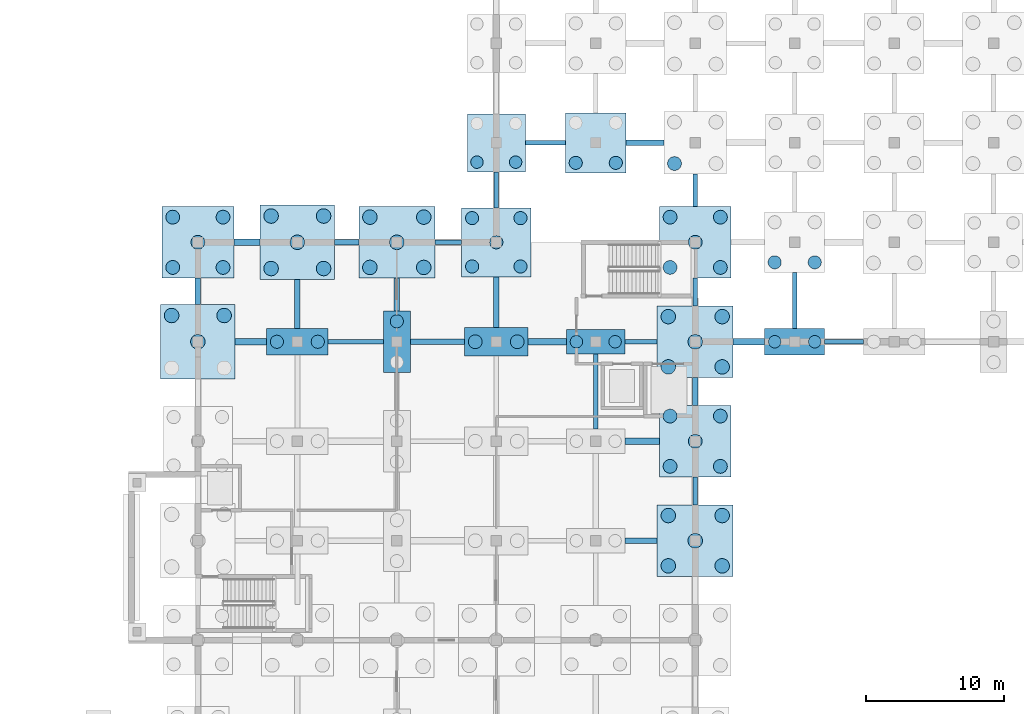
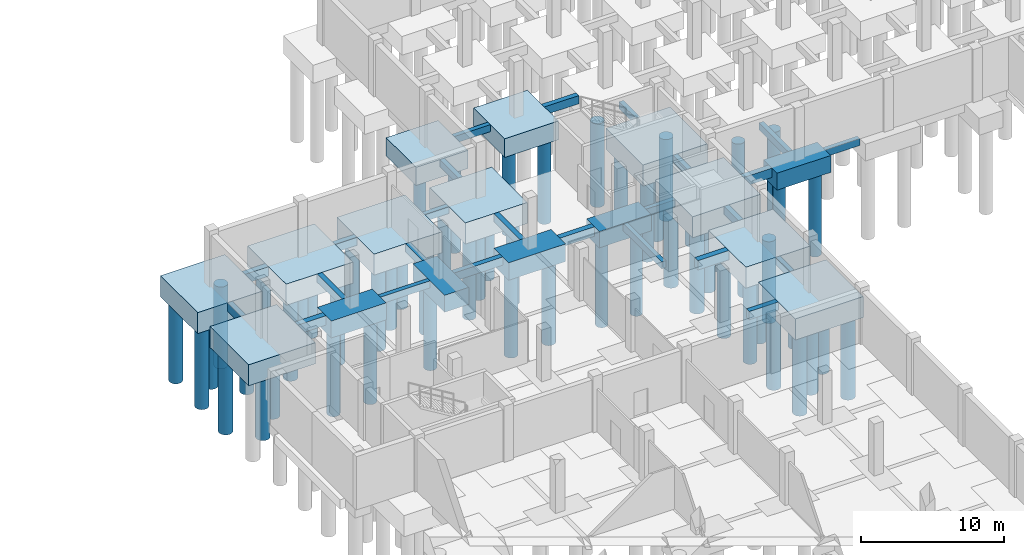
# One storey, part 12 of 35: 59 piles, 41 footings.
"""IFC4 building model written with IfcOpenShell, lengths in metres."""

from ifc_helpers import new_model, si_unit, direction, frame, origin, origin_2d, place, context, subcontext, project, spatial, rectangle, circle, extrude, material, material_profile, profile_set, type_object, element, save


model = new_model("IFC4")

# Units and contexts
model_context = context("Model", 3, precision=1e-05, world=origin(), true_north=direction((0.0, 1.0)))
body_context = subcontext(model_context, "Body", "Model", "MODEL_VIEW")
ifc_project = project(units=[si_unit("LENGTHUNIT", "METRE"), si_unit("AREAUNIT", "SQUARE_METRE"), si_unit("VOLUMEUNIT", "CUBIC_METRE"), si_unit("PLANEANGLEUNIT", "RADIAN"), si_unit("MASSUNIT", "GRAM", prefix="KILO"), si_unit("THERMODYNAMICTEMPERATUREUNIT", "KELVIN"), si_unit("POWERUNIT", "WATT")], contexts=[model_context])

# Site, building, storey
site_placement = place(None, origin())
site = spatial("IfcSite", under=ifc_project, at=site_placement, CompositionType="ELEMENT")
building_placement = place(site_placement, origin())
building = spatial("IfcBuilding", under=site, at=building_placement, Name="Kaldorven Railside Theatre", CompositionType="ELEMENT")
storey_placement = place(building_placement, frame((0.0, 0.0, -4.800048828125)))
storey = spatial("IfcBuildingStorey", under=building, at=storey_placement, Name="B1", CompositionType="ELEMENT", Elevation=-4.800048828125)

# Footings
ifc_material_1 = material(Name="Concrete C40/50", Category="concrete")
ifc_material_profile_1 = material_profile(ifc_material_1, rectangle(XDim=0.449951171875, YDim=0.800048828125, at=origin_2d()), Name="RC 450x800")
ifc_profile_set_1 = profile_set([ifc_material_profile_1], Name="Concrete C40/50")
footing_type_1 = type_object("IfcFootingType", Name="FTG-GB01", PredefinedType="FOOTING_BEAM", material=ifc_profile_set_1)
footing_1_placement = place(storey_placement, frame((118.10009765625, 98.39990234375, -0.39990234375), z_axis=(1.0, 0.0, 0.0), x_axis=(0.0, 1.0, 0.0)))
element("IfcFooting", 1, at=footing_1_placement, inside=storey, type_object=footing_type_1, Name="Foundation Tie Beam GB-342", PredefinedType="FOOTING_BEAM", context=body_context, shape_type="SweptSolid", body=[
    extrude(rectangle(XDim=0.449951171875, YDim=0.800048828125, at=origin_2d()), origin(), (0.0, 0.0, 1.0), 2.5),
])
footing_2_placement = place(storey_placement, frame((89.89990234375, 105.60009765625, -0.39990234375), z_axis=(1.0, 0.0, 0.0), x_axis=(0.0, 1.0, 0.0)))
element("IfcFooting", 2, at=footing_2_placement, inside=storey, type_object=footing_type_1, Name="Foundation Tie Beam GB-345", PredefinedType="FOOTING_BEAM", context=body_context, shape_type="SweptSolid", body=[
    extrude(rectangle(XDim=0.449951171875, YDim=0.800048828125, at=origin_2d()), origin(), (0.0, 0.0, 1.0), 2.275146484375),
])
footing_3_placement = place(storey_placement, frame((111.10009765625, 105.60009765625, -0.39990234375), z_axis=(1.0, 0.0, 0.0), x_axis=(0.0, 1.0, 0.0)))
element("IfcFooting", 3, at=footing_3_placement, inside=storey, type_object=footing_type_1, Name="Foundation Tie Beam GB-351", PredefinedType="FOOTING_BEAM", context=body_context, shape_type="SweptSolid", body=[
    extrude(rectangle(XDim=0.449951171875, YDim=0.800048828125, at=origin_2d()), origin(), (0.0, 0.0, 1.0), 2.7998046875),
])
footing_4_placement = place(storey_placement, frame((125.949951171875, 105.60009765625, -0.39990234375), z_axis=(1.0, 0.0, 0.0), x_axis=(0.0, 1.0, 0.0)))
element("IfcFooting", 4, at=footing_4_placement, inside=storey, type_object=footing_type_1, Name="Foundation Tie Beam GB-354", PredefinedType="FOOTING_BEAM", context=body_context, shape_type="SweptSolid", body=[
    extrude(rectangle(XDim=0.449951171875, YDim=0.800048828125, at=origin_2d()), origin(), (0.0, 0.0, 1.0), 2.275146484375),
])
footing_5_placement = place(storey_placement, frame((89.800048828125, 112.800048828125, -0.39990234375), z_axis=(1.0, 0.0, 0.0), x_axis=(0.0, 1.0, 0.0)))
element("IfcFooting", 5, at=footing_5_placement, inside=storey, type_object=footing_type_1, Name="Foundation Tie Beam GB-372", PredefinedType="FOOTING_BEAM", context=body_context, shape_type="SweptSolid", body=[
    extrude(rectangle(XDim=0.449951171875, YDim=0.800048828125, at=origin_2d()), origin(), (0.0, 0.0, 1.0), 1.89990234375),
])
ifc_material_profile_2 = material_profile(ifc_material_1, rectangle(XDim=0.39990234375, YDim=0.699951171875, at=origin_2d()), Name="RC 400x700")
ifc_profile_set_2 = profile_set([ifc_material_profile_2], Name="Concrete C40/50")
footing_type_2 = type_object("IfcFootingType", Name="FTG-GB02", PredefinedType="FOOTING_BEAM", material=ifc_profile_set_2)
footing_6_placement = place(storey_placement, frame((118.10009765625, 91.199951171875, -0.349853515625), z_axis=(1.0, 0.0, 0.0), x_axis=(0.0, 1.0, 0.0)))
element("IfcFooting", 6, at=footing_6_placement, inside=storey, type_object=footing_type_2, Name="Foundation Tie Beam GB-331", PredefinedType="FOOTING_BEAM", context=body_context, shape_type="SweptSolid", body=[
    extrude(rectangle(XDim=0.39990234375, YDim=0.699951171875, at=origin_2d()), origin(), (0.0, 0.0, 1.0), 2.349853515625),
])
footing_7_placement = place(storey_placement, frame((123.199951171875, 101.0, -0.349853515625), z_axis=(0.0, 1.0, 0.0), x_axis=(-1.0, 0.0, 0.0)))
element("IfcFooting", 7, at=footing_7_placement, inside=storey, type_object=footing_type_2, Name="Foundation Tie Beam GB-344", PredefinedType="FOOTING_BEAM", context=body_context, shape_type="SweptSolid", body=[
    extrude(rectangle(XDim=0.39990234375, YDim=0.699951171875, at=origin_2d()), origin(), (0.0, 0.0, 1.0), 2.0),
])
footing_8_placement = place(storey_placement, frame((87.199951171875, 108.300048828125, -0.349853515625), z_axis=(0.0, 1.0, 0.0), x_axis=(-1.0, 0.0, 0.0)))
element("IfcFooting", 8, at=footing_8_placement, inside=storey, type_object=footing_type_2, Name="Foundation Tie Beam GB-346", PredefinedType="FOOTING_BEAM", context=body_context, shape_type="SweptSolid", body=[
    extrude(rectangle(XDim=0.39990234375, YDim=0.699951171875, at=origin_2d()), origin(), (0.0, 0.0, 1.0), 1.89990234375),
])
footing_9_placement = place(storey_placement, frame((94.39990234375, 106.574951171875, -0.349853515625), z_axis=(0.0, 1.0, 0.0), x_axis=(-1.0, 0.0, 0.0)))
element("IfcFooting", 9, at=footing_9_placement, inside=storey, type_object=footing_type_2, Name="Foundation Tie Beam GB-348", PredefinedType="FOOTING_BEAM", context=body_context, shape_type="SweptSolid", body=[
    extrude(rectangle(XDim=0.39990234375, YDim=0.699951171875, at=origin_2d()), origin(), (0.0, 0.0, 1.0), 3.525146484375),
])
footing_10_placement = place(storey_placement, frame((102.574951171875, 105.60009765625, -0.349853515625), z_axis=(1.0, 0.0, 0.0), x_axis=(0.0, 1.0, 0.0)))
element("IfcFooting", 10, at=footing_10_placement, inside=storey, type_object=footing_type_2, Name="Foundation Tie Beam GB-349", PredefinedType="FOOTING_BEAM", context=body_context, shape_type="SweptSolid", body=[
    extrude(rectangle(XDim=0.39990234375, YDim=0.699951171875, at=origin_2d()), origin(), (0.0, 0.0, 1.0), 3.925048828125),
])
footing_11_placement = place(storey_placement, frame((101.60009765625, 107.824951171875, -0.349853515625), z_axis=(0.0, 1.0, 0.0), x_axis=(-1.0, 0.0, 0.0)))
element("IfcFooting", 11, at=footing_11_placement, inside=storey, type_object=footing_type_2, Name="Foundation Tie Beam GB-350", PredefinedType="FOOTING_BEAM", context=body_context, shape_type="SweptSolid", body=[
    extrude(rectangle(XDim=0.39990234375, YDim=0.699951171875, at=origin_2d()), origin(), (0.0, 0.0, 1.0), 2.375),
])
footing_12_placement = place(storey_placement, frame((108.800048828125, 106.625, -0.349853515625), z_axis=(0.0, 1.0, 0.0), x_axis=(-1.0, 0.0, 0.0)))
element("IfcFooting", 12, at=footing_12_placement, inside=storey, type_object=footing_type_2, Name="Foundation Tie Beam GB-352", PredefinedType="FOOTING_BEAM", context=body_context, shape_type="SweptSolid", body=[
    extrude(rectangle(XDim=0.39990234375, YDim=0.699951171875, at=origin_2d()), origin(), (0.0, 0.0, 1.0), 3.675048828125),
])
footing_13_placement = place(storey_placement, frame((97.10009765625, 112.800048828125, -0.349853515625), z_axis=(1.0, 0.0, 0.0), x_axis=(0.0, 1.0, 0.0)))
element("IfcFooting", 13, at=footing_13_placement, inside=storey, type_object=footing_type_2, Name="Foundation Tie Beam GB-373", PredefinedType="FOOTING_BEAM", context=body_context, shape_type="SweptSolid", body=[
    extrude(rectangle(XDim=0.39990234375, YDim=0.699951171875, at=origin_2d()), origin(), (0.0, 0.0, 1.0), 1.75),
])
footing_14_placement = place(storey_placement, frame((118.175048828125, 120.0, -0.349853515625), z_axis=(1.0, 0.0, 0.0), x_axis=(0.0, 1.0, 0.0)))
element("IfcFooting", 14, at=footing_14_placement, inside=storey, type_object=footing_type_2, Name="Foundation Tie Beam GB-394", PredefinedType="FOOTING_BEAM", context=body_context, shape_type="SweptSolid", body=[
    extrude(rectangle(XDim=0.39990234375, YDim=0.699951171875, at=origin_2d()), origin(), (0.0, 0.0, 1.0), 2.77490234375),
])
ifc_material_profile_3 = material_profile(ifc_material_1, rectangle(XDim=0.35009765625, YDim=0.60009765625, at=origin_2d()), Name="RC 350x600")
ifc_profile_set_3 = profile_set([ifc_material_profile_3], Name="Concrete C40/50")
footing_type_3 = type_object("IfcFootingType", Name="FTG-GB03", PredefinedType="FOOTING_BEAM", material=ifc_profile_set_3)
footing_15_placement = place(storey_placement, frame((123.199951171875, 93.800048828125, -0.300048828125), z_axis=(0.0, 1.0, 0.0), x_axis=(-1.0, 0.0, 0.0)))
element("IfcFooting", 15, at=footing_15_placement, inside=storey, type_object=footing_type_3, Name="Foundation Tie Beam GB-333", PredefinedType="FOOTING_BEAM", context=body_context, shape_type="SweptSolid", body=[
    extrude(rectangle(XDim=0.35009765625, YDim=0.60009765625, at=origin_2d()), origin(), (0.0, 0.0, 1.0), 2.0),
])
footing_16_placement = place(storey_placement, frame((116.0, 99.300048828125, -0.300048828125), z_axis=(0.0, 1.0, 0.0), x_axis=(-1.0, 0.0, 0.0)))
element("IfcFooting", 16, at=footing_16_placement, inside=storey, type_object=footing_type_3, Name="Foundation Tie Beam GB-343", PredefinedType="FOOTING_BEAM", context=body_context, shape_type="SweptSolid", body=[
    extrude(rectangle(XDim=0.35009765625, YDim=0.60009765625, at=origin_2d()), origin(), (0.0, 0.0, 1.0), 5.39990234375),
])
footing_17_placement = place(storey_placement, frame((96.625, 105.60009765625, -0.300048828125), z_axis=(1.0, 0.0, 0.0), x_axis=(0.0, 1.0, 0.0)))
element("IfcFooting", 17, at=footing_17_placement, inside=storey, type_object=footing_type_3, Name="Foundation Tie Beam GB-347", PredefinedType="FOOTING_BEAM", context=body_context, shape_type="SweptSolid", body=[
    extrude(rectangle(XDim=0.35009765625, YDim=0.60009765625, at=origin_2d()), origin(), (0.0, 0.0, 1.0), 4.0),
])
footing_18_placement = place(storey_placement, frame((118.10009765625, 105.60009765625, -0.300048828125), z_axis=(1.0, 0.0, 0.0), x_axis=(0.0, 1.0, 0.0)))
element("IfcFooting", 18, at=footing_18_placement, inside=storey, type_object=footing_type_3, Name="Foundation Tie Beam GB-353", PredefinedType="FOOTING_BEAM", context=body_context, shape_type="SweptSolid", body=[
    extrude(rectangle(XDim=0.35009765625, YDim=0.60009765625, at=origin_2d()), origin(), (0.0, 0.0, 1.0), 2.349853515625),
])
footing_19_placement = place(storey_placement, frame((123.199951171875, 108.199951171875, -0.300048828125), z_axis=(0.0, 1.0, 0.0), x_axis=(-1.0, 0.0, 0.0)))
element("IfcFooting", 19, at=footing_19_placement, inside=storey, type_object=footing_type_3, Name="Foundation Tie Beam GB-355", PredefinedType="FOOTING_BEAM", context=body_context, shape_type="SweptSolid", body=[
    extrude(rectangle(XDim=0.35009765625, YDim=0.60009765625, at=origin_2d()), origin(), (0.0, 0.0, 1.0), 2.0),
])
footing_20_placement = place(storey_placement, frame((132.574951171875, 105.60009765625, -0.300048828125), z_axis=(1.0, 0.0, 0.0), x_axis=(0.0, 1.0, 0.0)))
element("IfcFooting", 20, at=footing_20_placement, inside=storey, type_object=footing_type_3, Name="Foundation Tie Beam GB-356", PredefinedType="FOOTING_BEAM", context=body_context, shape_type="SweptSolid", body=[
    extrude(rectangle(XDim=0.35009765625, YDim=0.60009765625, at=origin_2d()), origin(), (0.0, 0.0, 1.0), 2.800048828125),
])
footing_21_placement = place(storey_placement, frame((130.39990234375, 106.550048828125, -0.300048828125), z_axis=(0.0, 1.0, 0.0), x_axis=(-1.0, 0.0, 0.0)))
element("IfcFooting", 21, at=footing_21_placement, inside=storey, type_object=footing_type_3, Name="Foundation Tie Beam GB-357", PredefinedType="FOOTING_BEAM", context=body_context, shape_type="SweptSolid", body=[
    extrude(rectangle(XDim=0.35009765625, YDim=0.60009765625, at=origin_2d()), origin(), (0.0, 0.0, 1.0), 4.074951171875),
])
footing_22_placement = place(storey_placement, frame((104.35009765625, 112.800048828125, -0.300048828125), z_axis=(1.0, 0.0, 0.0), x_axis=(0.0, 1.0, 0.0)))
element("IfcFooting", 22, at=footing_22_placement, inside=storey, type_object=footing_type_3, Name="Foundation Tie Beam GB-374", PredefinedType="FOOTING_BEAM", context=body_context, shape_type="SweptSolid", body=[
    extrude(rectangle(XDim=0.35009765625, YDim=0.60009765625, at=origin_2d()), origin(), (0.0, 0.0, 1.0), 1.949951171875),
])
footing_23_placement = place(storey_placement, frame((108.800048828125, 115.300048828125, -0.300048828125), z_axis=(0.0, 1.0, 0.0), x_axis=(-1.0, 0.0, 0.0)))
element("IfcFooting", 23, at=footing_23_placement, inside=storey, type_object=footing_type_3, Name="Foundation Tie Beam GB-375", PredefinedType="FOOTING_BEAM", context=body_context, shape_type="SweptSolid", body=[
    extrude(rectangle(XDim=0.35009765625, YDim=0.60009765625, at=origin_2d()), origin(), (0.0, 0.0, 1.0), 2.599853515625),
])
footing_24_placement = place(storey_placement, frame((123.199951171875, 115.39990234375, -0.300048828125), z_axis=(0.0, 1.0, 0.0), x_axis=(-1.0, 0.0, 0.0)))
element("IfcFooting", 24, at=footing_24_placement, inside=storey, type_object=footing_type_3, Name="Foundation Tie Beam GB-377", PredefinedType="FOOTING_BEAM", context=body_context, shape_type="SweptSolid", body=[
    extrude(rectangle(XDim=0.35009765625, YDim=0.60009765625, at=origin_2d()), origin(), (0.0, 0.0, 1.0), 2.35009765625),
])
footing_25_placement = place(storey_placement, frame((110.89990234375, 120.0, -0.300048828125), z_axis=(1.0, 0.0, 0.0), x_axis=(0.0, 1.0, 0.0)))
element("IfcFooting", 25, at=footing_25_placement, inside=storey, type_object=footing_type_3, Name="Foundation Tie Beam GB-392", PredefinedType="FOOTING_BEAM", context=body_context, shape_type="SweptSolid", body=[
    extrude(rectangle(XDim=0.35009765625, YDim=0.60009765625, at=origin_2d()), origin(), (0.0, 0.0, 1.0), 2.925048828125),
])
footing_type_4 = type_object("IfcFootingType", Name="FTG-PC03", PredefinedType="PILE_CAP", material=ifc_material_1)
footing_26_placement = place(storey_placement, frame((116.0, 105.60009765625, -1.39990234375), z_axis=(0.0, 0.0, 1.0), x_axis=(1.0, 0.0, 0.0)))
element("IfcFooting", 26, at=footing_26_placement, inside=storey, type_object=footing_type_4, Name="Reinforced Concrete Pile Cap FC-198", PredefinedType="PILE_CAP", context=body_context, shape_type="SweptSolid", body=[
    extrude(rectangle(XDim=4.199951171875, YDim=1.800048828125, at=origin_2d()), origin(), (0.0, 0.0, 1.0), 1.39990234375),
])
footing_type_5 = type_object("IfcFootingType", Name="FTG-PC05", PredefinedType="PILE_CAP", material=ifc_material_1)
footing_27_placement = place(storey_placement, frame((130.39990234375, 105.60009765625, -1.44970703125), z_axis=(0.0, 0.0, 1.0), x_axis=(1.0, 0.0, 0.0)))
element("IfcFooting", 27, at=footing_27_placement, inside=storey, type_object=footing_type_5, Name="Reinforced Concrete Pile Cap FC-200", PredefinedType="PILE_CAP", context=body_context, shape_type="SweptSolid", body=[
    extrude(rectangle(XDim=4.35009765625, YDim=1.89990234375, at=origin_2d()), origin(), (0.0, 0.0, 1.0), 1.449951171875),
])
footing_type_6 = type_object("IfcFootingType", Name="FTG-PC06", PredefinedType="PILE_CAP", material=ifc_material_1)
footing_28_placement = place(storey_placement, frame((94.39990234375, 105.60009765625, -1.44970703125), z_axis=(0.0, 0.0, 1.0), x_axis=(1.0, 0.0, 0.0)))
element("IfcFooting", 28, at=footing_28_placement, inside=storey, type_object=footing_type_6, Name="Reinforced Concrete Pile Cap FC-195", PredefinedType="PILE_CAP", context=body_context, shape_type="SweptSolid", body=[
    extrude(rectangle(XDim=4.449951171875, YDim=1.949951171875, at=origin_2d()), origin(), (0.0, 0.0, 1.0), 1.449951171875),
])
footing_type_7 = type_object("IfcFootingType", Name="FTG-PC07", PredefinedType="PILE_CAP", material=ifc_material_1)
footing_29_placement = place(storey_placement, frame((101.60009765625, 105.60009765625, -1.44970703125), z_axis=(0.0, 0.0, 1.0), x_axis=(1.0, 0.0, 0.0)))
element("IfcFooting", 29, at=footing_29_placement, inside=storey, type_object=footing_type_7, Name="Reinforced Concrete Pile Cap FC-196", PredefinedType="PILE_CAP", context=body_context, shape_type="SweptSolid", body=[
    extrude(rectangle(XDim=1.949951171875, YDim=4.449951171875, at=origin_2d()), origin(), (0.0, 0.0, 1.0), 1.449951171875),
])
footing_type_8 = type_object("IfcFootingType", Name="FTG-PC08", PredefinedType="PILE_CAP", material=ifc_material_1)
footing_30_placement = place(storey_placement, frame((108.800048828125, 105.60009765625, -1.5), z_axis=(0.0, 0.0, 1.0), x_axis=(1.0, 0.0, 0.0)))
element("IfcFooting", 30, at=footing_30_placement, inside=storey, type_object=footing_type_8, Name="Reinforced Concrete Pile Cap FC-197", PredefinedType="PILE_CAP", context=body_context, shape_type="SweptSolid", body=[
    extrude(rectangle(XDim=4.60009765625, YDim=2.050048828125, at=origin_2d()), origin(), (0.0, 0.0, 1.0), 1.5),
])
footing_type_9 = type_object("IfcFootingType", Name="FTG-PC12", PredefinedType="PILE_CAP", material=ifc_material_1)
footing_31_placement = place(storey_placement, frame((108.800048828125, 120.0, -1.5498046875), z_axis=(0.0, 0.0, 1.0), x_axis=(1.0, 0.0, 0.0)))
element("IfcFooting", 31, at=footing_31_placement, inside=storey, type_object=footing_type_9, Name="Reinforced Concrete Pile Cap FC-222", PredefinedType="PILE_CAP", context=body_context, shape_type="SweptSolid", body=[
    extrude(rectangle(XDim=4.199951171875, YDim=4.199951171875, at=origin_2d()), origin(), (0.0, 0.0, 1.0), 1.550048828125),
])
footing_type_10 = type_object("IfcFootingType", Name="FTG-PC13", PredefinedType="PILE_CAP", material=ifc_material_1)
footing_32_placement = place(storey_placement, frame((116.0, 120.0, -1.60009765625), z_axis=(0.0, 0.0, 1.0), x_axis=(1.0, 0.0, 0.0)))
element("IfcFooting", 32, at=footing_32_placement, inside=storey, type_object=footing_type_10, Name="Reinforced Concrete Pile Cap FC-223", PredefinedType="PILE_CAP", context=body_context, shape_type="SweptSolid", body=[
    extrude(rectangle(XDim=4.35009765625, YDim=4.35009765625, at=origin_2d()), origin(), (0.0, 0.0, 1.0), 1.60009765625),
])
footing_type_11 = type_object("IfcFootingType", Name="FTG-PC19", PredefinedType="PILE_CAP", material=ifc_material_1)
footing_33_placement = place(storey_placement, frame((108.800048828125, 112.800048828125, -1.7998046875), z_axis=(0.0, 0.0, 1.0), x_axis=(1.0, 0.0, 0.0)))
element("IfcFooting", 33, at=footing_33_placement, inside=storey, type_object=footing_type_11, Name="Reinforced Concrete Pile Cap FC-212", PredefinedType="PILE_CAP", context=body_context, shape_type="SweptSolid", body=[
    extrude(rectangle(XDim=5.0, YDim=5.0, at=origin_2d()), origin(), (0.0, 0.0, 1.0), 1.800048828125),
])
footing_type_12 = type_object("IfcFootingType", Name="FTG-PC20", PredefinedType="PILE_CAP", material=ifc_material_1)
for number, where, z_axis, x_axis, name in (
    (34, (123.199951171875, 98.39990234375, -1.7998046875), (0.0, 0.0, 1.0), (1.0, 0.0, 0.0), "Reinforced Concrete Pile Cap FC-193"),
    (35, (87.199951171875, 112.800048828125, -1.7998046875), (0.0, 0.0, 1.0), (1.0, 0.0, 0.0), "Reinforced Concrete Pile Cap FC-209"),
    (36, (123.199951171875, 112.800048828125, -1.7998046875), (0.0, 0.0, 1.0), (1.0, 0.0, 0.0), "Reinforced Concrete Pile Cap FC-213"),
):
    element("IfcFooting", number, at=place(storey_placement, frame(where, z_axis=z_axis, x_axis=x_axis)), inside=storey, type_object=footing_type_12, Name=name, PredefinedType="PILE_CAP", context=body_context, shape_type="SweptSolid", body=[
        extrude(rectangle(XDim=5.199951171875, YDim=5.199951171875, at=origin_2d()), origin(), (0.0, 0.0, 1.0), 1.800048828125),
    ])
footing_type_13 = type_object("IfcFootingType", Name="FTG-PC21", PredefinedType="PILE_CAP", material=ifc_material_1)
for number, where, z_axis, x_axis, name in (
    (37, (87.199951171875, 105.60009765625, -1.7998046875), (0.0, 0.0, 1.0), (1.0, 0.0, 0.0), "Reinforced Concrete Pile Cap FC-194"),
    (38, (94.39990234375, 112.800048828125, -1.7998046875), (0.0, 0.0, 1.0), (1.0, 0.0, 0.0), "Reinforced Concrete Pile Cap FC-210"),
):
    element("IfcFooting", number, at=place(storey_placement, frame(where, z_axis=z_axis, x_axis=x_axis)), inside=storey, type_object=footing_type_13, Name=name, PredefinedType="PILE_CAP", context=body_context, shape_type="SweptSolid", body=[
        extrude(rectangle(XDim=5.39990234375, YDim=5.39990234375, at=origin_2d()), origin(), (0.0, 0.0, 1.0), 1.800048828125),
    ])
footing_type_14 = type_object("IfcFootingType", Name="FTG-PC22", PredefinedType="PILE_CAP", material=ifc_material_1)
for number, where, z_axis, x_axis, name in (
    (39, (123.199951171875, 91.199951171875, -1.7998046875), (0.0, 0.0, 1.0), (1.0, 0.0, 0.0), "Reinforced Concrete Pile Cap FC-187"),
    (40, (123.199951171875, 105.60009765625, -1.7998046875), (0.0, 0.0, 1.0), (1.0, 0.0, 0.0), "Reinforced Concrete Pile Cap FC-199"),
    (41, (101.60009765625, 112.800048828125, -1.7998046875), (0.0, 0.0, 1.0), (1.0, 0.0, 0.0), "Reinforced Concrete Pile Cap FC-211"),
):
    element("IfcFooting", number, at=place(storey_placement, frame(where, z_axis=z_axis, x_axis=x_axis)), inside=storey, type_object=footing_type_14, Name=name, PredefinedType="PILE_CAP", context=body_context, shape_type="SweptSolid", body=[
        extrude(rectangle(XDim=5.5, YDim=5.199951171875, at=origin_2d()), origin(), (0.0, 0.0, 1.0), 1.800048828125),
    ])

# Piles
ifc_material_2 = material(Name="Concrete C35/45", Category="concrete")
ifc_material_profile_4 = material_profile(ifc_material_2, circle(Radius=0.5, at=origin_2d()), Name="BP D1000")
ifc_profile_set_4 = profile_set([ifc_material_profile_4], Name="Concrete C35/45")
pile_type_1 = type_object("IfcPileType", Name="PIL-D1000", PredefinedType="BORED", material=ifc_profile_set_4)
for number, where, z_axis, x_axis, name in (
    (42, (121.3798828125, 96.580078125, -1.699951171875), (0.0, 0.0, -1.0), (1.0, 0.0, 0.0), "Bored Bedrock Socket Pile BP-123-098-1"),
    (43, (125.02001953125, 96.580078125, -1.699951171875), (0.0, 0.0, -1.0), (1.0, 0.0, 0.0), "Bored Bedrock Socket Pile BP-123-098-2"),
    (44, (121.3798828125, 100.219970703125, -1.699951171875), (0.0, 0.0, -1.0), (1.0, 0.0, 0.0), "Bored Bedrock Socket Pile BP-123-098-3"),
    (45, (125.02001953125, 100.219970703125, -1.699951171875), (0.0, 0.0, -1.0), (1.0, 0.0, 0.0), "Bored Bedrock Socket Pile BP-123-098-4"),
    (46, (123.199951171875, 98.39990234375, -1.699951171875), (0.0, 0.0, -1.0), (1.0, 0.0, 0.0), "Bored Bedrock Socket Pile BP-123-098-5"),
):
    element("IfcPile", number, at=place(storey_placement, frame(where, z_axis=z_axis, x_axis=x_axis)), inside=storey, type_object=pile_type_1, Name=name, PredefinedType="BORED", context=body_context, shape_type="SweptSolid", body=[
        extrude(circle(Radius=0.5, at=origin_2d()), origin(), (0.0, 0.0, 1.0), 7.0),
    ])
for number, where, z_axis, x_axis, name in (
    (47, (107.280029296875, 105.60009765625, -1.39990234375), (0.0, 0.0, -1.0), (1.0, 0.0, 0.0), "Bored Bedrock Socket Pile BP-108-105-1"),
    (48, (110.320068359375, 105.60009765625, -1.39990234375), (0.0, 0.0, -1.0), (1.0, 0.0, 0.0), "Bored Bedrock Socket Pile BP-108-105-2"),
):
    element("IfcPile", number, at=place(storey_placement, frame(where, z_axis=z_axis, x_axis=x_axis)), inside=storey, type_object=pile_type_1, Name=name, PredefinedType="BORED", context=body_context, shape_type="SweptSolid", body=[
        extrude(circle(Radius=0.5, at=origin_2d()), origin(), (0.0, 0.0, 1.0), 7.300048828125),
    ])
for number, where, z_axis, x_axis, name in (
    (49, (85.3798828125, 110.97998046875, -1.699951171875), (0.0, 0.0, -1.0), (1.0, 0.0, 0.0), "Bored Bedrock Socket Pile BP-087-112-1"),
    (50, (89.02001953125, 110.97998046875, -1.699951171875), (0.0, 0.0, -1.0), (1.0, 0.0, 0.0), "Bored Bedrock Socket Pile BP-087-112-2"),
    (51, (85.3798828125, 114.6201171875, -1.699951171875), (0.0, 0.0, -1.0), (1.0, 0.0, 0.0), "Bored Bedrock Socket Pile BP-087-112-3"),
    (52, (89.02001953125, 114.6201171875, -1.699951171875), (0.0, 0.0, -1.0), (1.0, 0.0, 0.0), "Bored Bedrock Socket Pile BP-087-112-4"),
    (53, (87.199951171875, 112.800048828125, -1.699951171875), (0.0, 0.0, -1.0), (1.0, 0.0, 0.0), "Bored Bedrock Socket Pile BP-087-112-5"),
    (54, (121.3798828125, 110.97998046875, -1.699951171875), (0.0, 0.0, -1.0), (1.0, 0.0, 0.0), "Bored Bedrock Socket Pile BP-123-112-1"),
    (55, (125.02001953125, 110.97998046875, -1.699951171875), (0.0, 0.0, -1.0), (1.0, 0.0, 0.0), "Bored Bedrock Socket Pile BP-123-112-2"),
    (56, (121.3798828125, 114.6201171875, -1.699951171875), (0.0, 0.0, -1.0), (1.0, 0.0, 0.0), "Bored Bedrock Socket Pile BP-123-112-3"),
    (57, (125.02001953125, 114.6201171875, -1.699951171875), (0.0, 0.0, -1.0), (1.0, 0.0, 0.0), "Bored Bedrock Socket Pile BP-123-112-4"),
    (58, (123.199951171875, 112.800048828125, -1.699951171875), (0.0, 0.0, -1.0), (1.0, 0.0, 0.0), "Bored Bedrock Socket Pile BP-123-112-5"),
):
    element("IfcPile", number, at=place(storey_placement, frame(where, z_axis=z_axis, x_axis=x_axis)), inside=storey, type_object=pile_type_1, Name=name, PredefinedType="BORED", context=body_context, shape_type="SweptSolid", body=[
        extrude(circle(Radius=0.5, at=origin_2d()), origin(), (0.0, 0.0, 1.0), 7.0),
    ])
pile_placement = place(storey_placement, frame((121.699951171875, 118.5, -1.550048828125), z_axis=(0.0, 0.0, -1.0), x_axis=(1.0, 0.0, 0.0)))
element("IfcPile", 59, at=pile_placement, inside=storey, type_object=pile_type_1, Name="Bored Bedrock Socket Pile BP-123-120-1", PredefinedType="BORED", context=body_context, shape_type="SweptSolid", body=[
    extrude(circle(Radius=0.5, at=origin_2d()), origin(), (0.0, 0.0, 1.0), 7.14990234375),
])
ifc_material_profile_5 = material_profile(ifc_material_2, circle(Radius=0.52490234375, at=origin_2d()), Name="BP D1050")
ifc_profile_set_5 = profile_set([ifc_material_profile_5], Name="Concrete C35/45")
pile_type_2 = type_object("IfcPileType", Name="PIL-D1050", PredefinedType="BORED", material=ifc_profile_set_5)
for number, where, z_axis, x_axis, name in (
    (60, (121.25, 89.3798828125, -1.699951171875), (0.0, 0.0, -1.0), (1.0, 0.0, 0.0), "Bored Bedrock Socket Pile BP-123-091-1"),
    (61, (125.14990234375, 89.3798828125, -1.699951171875), (0.0, 0.0, -1.0), (1.0, 0.0, 0.0), "Bored Bedrock Socket Pile BP-123-091-2"),
    (62, (121.25, 93.02001953125, -1.699951171875), (0.0, 0.0, -1.0), (1.0, 0.0, 0.0), "Bored Bedrock Socket Pile BP-123-091-3"),
    (63, (125.14990234375, 93.02001953125, -1.699951171875), (0.0, 0.0, -1.0), (1.0, 0.0, 0.0), "Bored Bedrock Socket Pile BP-123-091-4"),
    (64, (123.199951171875, 91.199951171875, -1.699951171875), (0.0, 0.0, -1.0), (1.0, 0.0, 0.0), "Bored Bedrock Socket Pile BP-123-091-5"),
    (65, (85.300048828125, 107.5, -1.699951171875), (0.0, 0.0, -1.0), (1.0, 0.0, 0.0), "Bored Bedrock Socket Pile BP-087-105-3"),
    (66, (89.10009765625, 107.5, -1.699951171875), (0.0, 0.0, -1.0), (1.0, 0.0, 0.0), "Bored Bedrock Socket Pile BP-087-105-4"),
    (67, (87.199951171875, 105.60009765625, -1.699951171875), (0.0, 0.0, -1.0), (1.0, 0.0, 0.0), "Bored Bedrock Socket Pile BP-087-105-5"),
    (68, (121.25, 103.780029296875, -1.699951171875), (0.0, 0.0, -1.0), (1.0, 0.0, 0.0), "Bored Bedrock Socket Pile BP-123-105-1"),
    (69, (125.14990234375, 103.780029296875, -1.699951171875), (0.0, 0.0, -1.0), (1.0, 0.0, 0.0), "Bored Bedrock Socket Pile BP-123-105-2"),
    (70, (121.25, 107.419921875, -1.699951171875), (0.0, 0.0, -1.0), (1.0, 0.0, 0.0), "Bored Bedrock Socket Pile BP-123-105-3"),
    (71, (125.14990234375, 107.419921875, -1.699951171875), (0.0, 0.0, -1.0), (1.0, 0.0, 0.0), "Bored Bedrock Socket Pile BP-123-105-4"),
    (72, (123.199951171875, 105.60009765625, -1.699951171875), (0.0, 0.0, -1.0), (1.0, 0.0, 0.0), "Bored Bedrock Socket Pile BP-123-105-5"),
    (73, (92.5, 110.89990234375, -1.699951171875), (0.0, 0.0, -1.0), (1.0, 0.0, 0.0), "Bored Bedrock Socket Pile BP-094-112-1"),
    (74, (96.300048828125, 110.89990234375, -1.699951171875), (0.0, 0.0, -1.0), (1.0, 0.0, 0.0), "Bored Bedrock Socket Pile BP-094-112-2"),
    (75, (92.5, 114.699951171875, -1.699951171875), (0.0, 0.0, -1.0), (1.0, 0.0, 0.0), "Bored Bedrock Socket Pile BP-094-112-3"),
    (76, (96.300048828125, 114.699951171875, -1.699951171875), (0.0, 0.0, -1.0), (1.0, 0.0, 0.0), "Bored Bedrock Socket Pile BP-094-112-4"),
    (77, (94.39990234375, 112.800048828125, -1.699951171875), (0.0, 0.0, -1.0), (1.0, 0.0, 0.0), "Bored Bedrock Socket Pile BP-094-112-5"),
    (78, (99.64990234375, 110.97998046875, -1.699951171875), (0.0, 0.0, -1.0), (1.0, 0.0, 0.0), "Bored Bedrock Socket Pile BP-101-112-1"),
    (79, (103.550048828125, 110.97998046875, -1.699951171875), (0.0, 0.0, -1.0), (1.0, 0.0, 0.0), "Bored Bedrock Socket Pile BP-101-112-2"),
    (80, (99.64990234375, 114.6201171875, -1.699951171875), (0.0, 0.0, -1.0), (1.0, 0.0, 0.0), "Bored Bedrock Socket Pile BP-101-112-3"),
    (81, (103.550048828125, 114.6201171875, -1.699951171875), (0.0, 0.0, -1.0), (1.0, 0.0, 0.0), "Bored Bedrock Socket Pile BP-101-112-4"),
    (82, (101.60009765625, 112.800048828125, -1.699951171875), (0.0, 0.0, -1.0), (1.0, 0.0, 0.0), "Bored Bedrock Socket Pile BP-101-112-5"),
):
    element("IfcPile", number, at=place(storey_placement, frame(where, z_axis=z_axis, x_axis=x_axis)), inside=storey, type_object=pile_type_2, Name=name, PredefinedType="BORED", context=body_context, shape_type="SweptSolid", body=[
        extrude(circle(Radius=0.52490234375, at=origin_2d()), origin(), (0.0, 0.0, 1.0), 7.0),
    ])
ifc_material_profile_6 = material_profile(ifc_material_2, circle(Radius=0.449951171875, at=origin_2d()), Name="BP D900")
ifc_profile_set_6 = profile_set([ifc_material_profile_6], Name="Concrete C35/45")
pile_type_3 = type_object("IfcPileType", Name="PIL-D900", PredefinedType="BORED", material=ifc_profile_set_6)
for number, where, z_axis, x_axis, name in (
    (83, (114.60009765625, 105.60009765625, -1.300048828125), (0.0, 0.0, -1.0), (1.0, 0.0, 0.0), "Bored Bedrock Socket Pile BP-116-105-1"),
    (84, (117.39990234375, 105.60009765625, -1.300048828125), (0.0, 0.0, -1.0), (1.0, 0.0, 0.0), "Bored Bedrock Socket Pile BP-116-105-2"),
):
    element("IfcPile", number, at=place(storey_placement, frame(where, z_axis=z_axis, x_axis=x_axis)), inside=storey, type_object=pile_type_3, Name=name, PredefinedType="BORED", context=body_context, shape_type="SweptSolid", body=[
        extrude(circle(Radius=0.449951171875, at=origin_2d()), origin(), (0.0, 0.0, 1.0), 7.39990234375),
    ])
for number, where, z_axis, x_axis, name in (
    (85, (128.949951171875, 105.60009765625, -1.349853515625), (0.0, 0.0, -1.0), (1.0, 0.0, 0.0), "Bored Bedrock Socket Pile BP-130-105-1"),
    (86, (131.85009765625, 105.60009765625, -1.349853515625), (0.0, 0.0, -1.0), (1.0, 0.0, 0.0), "Bored Bedrock Socket Pile BP-130-105-2"),
):
    element("IfcPile", number, at=place(storey_placement, frame(where, z_axis=z_axis, x_axis=x_axis)), inside=storey, type_object=pile_type_3, Name=name, PredefinedType="BORED", context=body_context, shape_type="SweptSolid", body=[
        extrude(circle(Radius=0.449951171875, at=origin_2d()), origin(), (0.0, 0.0, 1.0), 7.35009765625),
    ])
for number, where, z_axis, x_axis, name in (
    (87, (107.39990234375, 118.60009765625, -1.449951171875), (0.0, 0.0, -1.0), (1.0, 0.0, 0.0), "Bored Bedrock Socket Pile BP-108-120-1"),
    (88, (110.199951171875, 118.60009765625, -1.449951171875), (0.0, 0.0, -1.0), (1.0, 0.0, 0.0), "Bored Bedrock Socket Pile BP-108-120-2"),
):
    element("IfcPile", number, at=place(storey_placement, frame(where, z_axis=z_axis, x_axis=x_axis)), inside=storey, type_object=pile_type_3, Name=name, PredefinedType="BORED", context=body_context, shape_type="SweptSolid", body=[
        extrude(circle(Radius=0.449951171875, at=origin_2d()), origin(), (0.0, 0.0, 1.0), 7.25),
    ])
ifc_material_profile_7 = material_profile(ifc_material_2, circle(Radius=0.47509765625, at=origin_2d()), Name="BP D950")
ifc_profile_set_7 = profile_set([ifc_material_profile_7], Name="Concrete C35/45")
pile_type_4 = type_object("IfcPileType", Name="PIL-D950", PredefinedType="BORED", material=ifc_profile_set_7)
for number, where, z_axis, x_axis, name in (
    (89, (92.919921875, 105.60009765625, -1.349853515625), (0.0, 0.0, -1.0), (1.0, 0.0, 0.0), "Bored Bedrock Socket Pile BP-094-105-1"),
    (90, (95.8798828125, 105.60009765625, -1.349853515625), (0.0, 0.0, -1.0), (1.0, 0.0, 0.0), "Bored Bedrock Socket Pile BP-094-105-2"),
    (91, (101.60009765625, 107.080078125, -1.349853515625), (0.0, 0.0, -1.0), (1.0, 0.0, 0.0), "Bored Bedrock Socket Pile BP-101-105-2"),
):
    element("IfcPile", number, at=place(storey_placement, frame(where, z_axis=z_axis, x_axis=x_axis)), inside=storey, type_object=pile_type_4, Name=name, PredefinedType="BORED", context=body_context, shape_type="SweptSolid", body=[
        extrude(circle(Radius=0.47509765625, at=origin_2d()), origin(), (0.0, 0.0, 1.0), 7.35009765625),
    ])
for number, where, z_axis, x_axis, name in (
    (92, (107.050048828125, 111.050048828125, -1.699951171875), (0.0, 0.0, -1.0), (1.0, 0.0, 0.0), "Bored Bedrock Socket Pile BP-108-112-1"),
    (93, (110.550048828125, 111.050048828125, -1.699951171875), (0.0, 0.0, -1.0), (1.0, 0.0, 0.0), "Bored Bedrock Socket Pile BP-108-112-2"),
    (94, (107.050048828125, 114.550048828125, -1.699951171875), (0.0, 0.0, -1.0), (1.0, 0.0, 0.0), "Bored Bedrock Socket Pile BP-108-112-3"),
    (95, (110.550048828125, 114.550048828125, -1.699951171875), (0.0, 0.0, -1.0), (1.0, 0.0, 0.0), "Bored Bedrock Socket Pile BP-108-112-4"),
    (96, (108.800048828125, 112.800048828125, -1.699951171875), (0.0, 0.0, -1.0), (1.0, 0.0, 0.0), "Bored Bedrock Socket Pile BP-108-112-5"),
):
    element("IfcPile", number, at=place(storey_placement, frame(where, z_axis=z_axis, x_axis=x_axis)), inside=storey, type_object=pile_type_4, Name=name, PredefinedType="BORED", context=body_context, shape_type="SweptSolid", body=[
        extrude(circle(Radius=0.47509765625, at=origin_2d()), origin(), (0.0, 0.0, 1.0), 7.0),
    ])
for number, where, z_axis, x_axis, name in (
    (97, (128.949951171875, 111.35009765625, -1.5), (0.0, 0.0, -1.0), (1.0, 0.0, 0.0), "Bored Bedrock Socket Pile BP-130-112-1"),
    (98, (131.85009765625, 111.35009765625, -1.5), (0.0, 0.0, -1.0), (1.0, 0.0, 0.0), "Bored Bedrock Socket Pile BP-130-112-2"),
    (99, (114.550048828125, 118.550048828125, -1.5), (0.0, 0.0, -1.0), (1.0, 0.0, 0.0), "Bored Bedrock Socket Pile BP-116-120-1"),
    (100, (117.449951171875, 118.550048828125, -1.5), (0.0, 0.0, -1.0), (1.0, 0.0, 0.0), "Bored Bedrock Socket Pile BP-116-120-2"),
):
    element("IfcPile", number, at=place(storey_placement, frame(where, z_axis=z_axis, x_axis=x_axis)), inside=storey, type_object=pile_type_4, Name=name, PredefinedType="BORED", context=body_context, shape_type="SweptSolid", body=[
        extrude(circle(Radius=0.47509765625, at=origin_2d()), origin(), (0.0, 0.0, 1.0), 7.199951171875),
    ])

save(model, "model.ifc")
